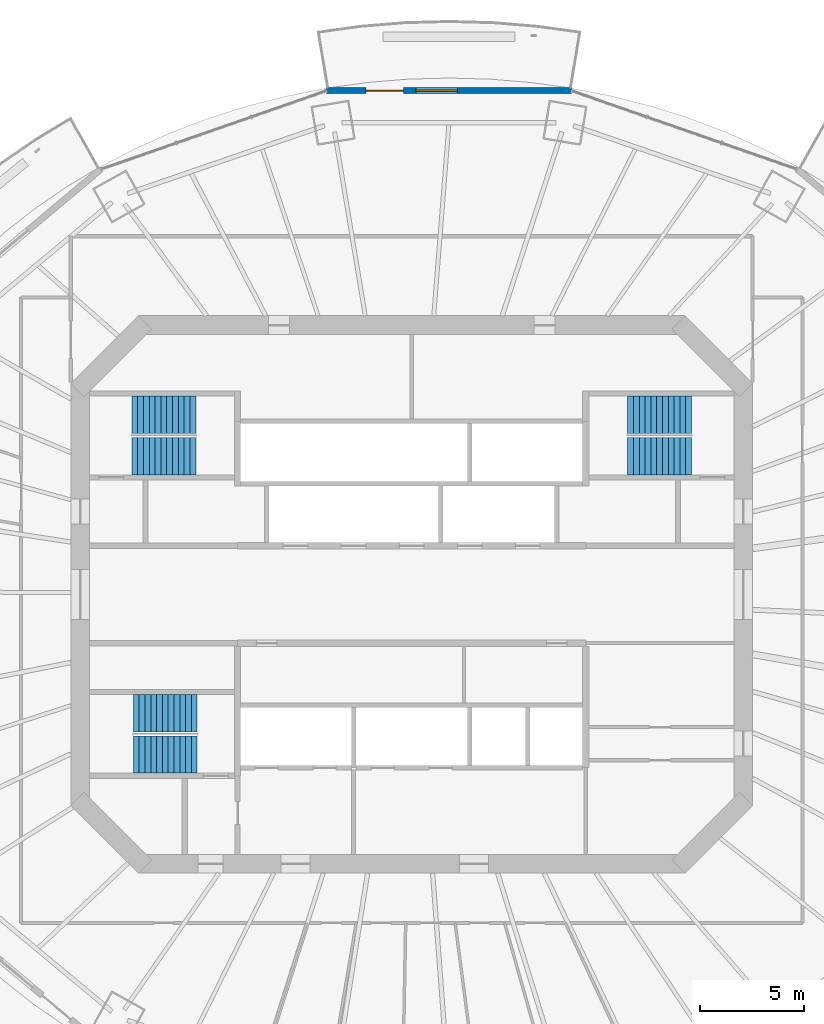
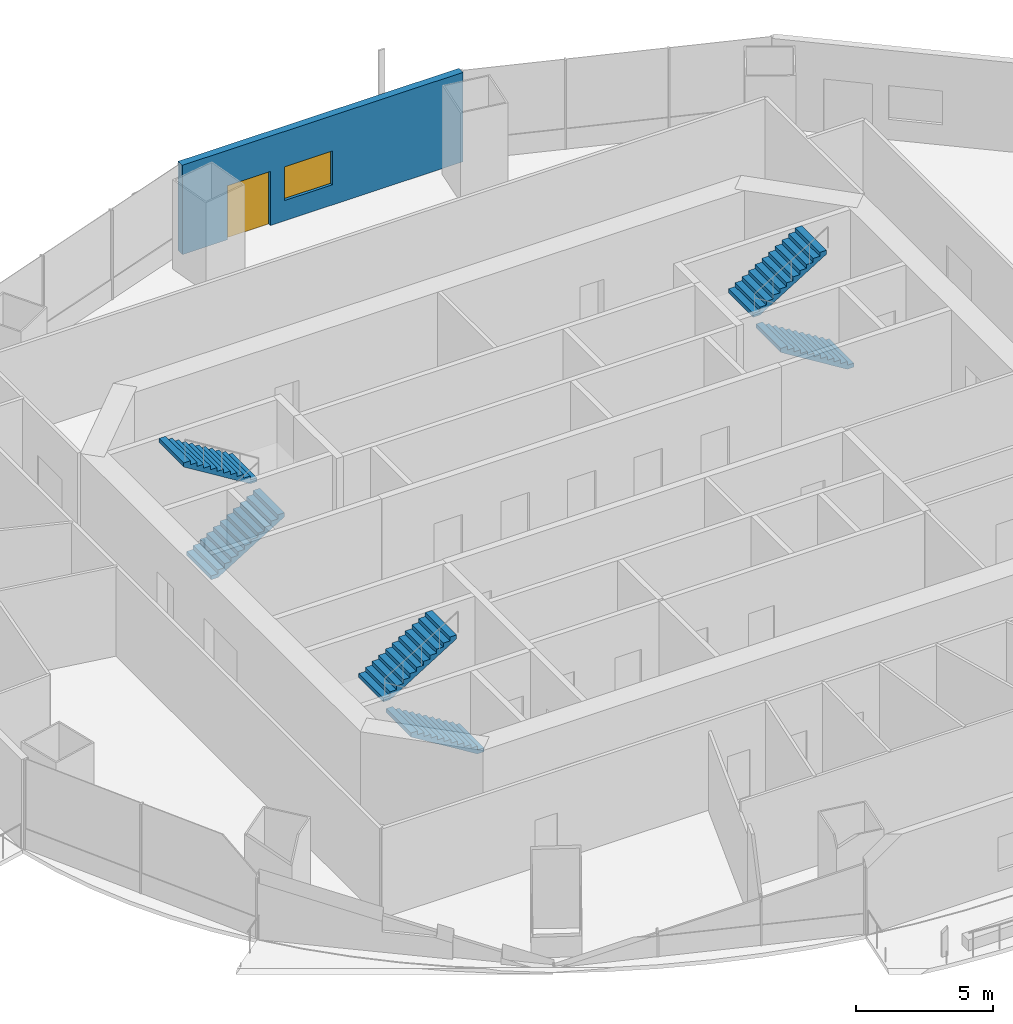
# One storey, part 13 of 19: 6 stair flights, 1 door, 1 wall, 1 window, 2 openings, 3 elements without a shape of their own.
"""IFC4 building model written with IfcOpenShell, lengths in metres."""

from ifc_helpers import new_model, si_unit, direction, frame, frame_2d, origin, place, context, subcontext, project, spatial, polyline, rectangle, outline, extrude, material, layer, layer_set, type_object, element, fill, aggregate, save


model = new_model("IFC4")

# Units and contexts
model_context = context("Model", 3, precision=1e-05, world=origin(), true_north=direction((0.0, 1.0)))
body_context = subcontext(model_context, "Body", "Model", "MODEL_VIEW")
ifc_project = project(units=[si_unit("LENGTHUNIT", "METRE"), si_unit("AREAUNIT", "SQUARE_METRE"), si_unit("VOLUMEUNIT", "CUBIC_METRE"), si_unit("PLANEANGLEUNIT", "RADIAN"), si_unit("MASSUNIT", "GRAM", prefix="KILO")], contexts=[model_context])

# Site, building, storey
site_placement = place(None, origin())
site = spatial("IfcSite", under=ifc_project, at=site_placement, CompositionType="ELEMENT")
building_placement = place(site_placement, origin())
building = spatial("IfcBuilding", under=site, at=building_placement, Name="Marenthal Gate Tower", CompositionType="ELEMENT")
storey_placement = place(building_placement, frame((0.0, 0.0, 244.050048828125)))
storey = spatial("IfcBuildingStorey", under=building, at=storey_placement, Name="L54", CompositionType="ELEMENT", Elevation=244.050048828125)

# Wall, openings, door, window
ifc_material_1 = material(Name="Terracotta cladding on insulated concrete-block backing", Category="masonry")
ifc_layer = layer(ifc_material_1, 0.300048828125)
ifc_layer_set = layer_set([ifc_layer], Name="Terracotta facade wall 300")
wall_type = type_object("IfcWallType", Name="Terracotta facade wall 300", PredefinedType="SOLIDWALL", material=ifc_layer_set)
wall_placement = place(storey_placement, frame((7.700439453125, 24.31103515625, 0.0), z_axis=(0.0, 0.0, 1.0), x_axis=(-1.0, 0.0, 0.0)))
wall = element("IfcWall", 1, at=wall_placement, inside=storey, type_object=wall_type, Name="Terracotta facade wall L54 bay 4", PredefinedType="SOLIDWALL", context=body_context, shape_type="SweptSolid", body=[
    extrude(rectangle(XDim=11.801025390625, YDim=0.300048828125, at=frame_2d((5.900390625, 0.0))), origin(), (0.0, 0.0, 1.0), 3.969970703125),
])
opening_1_placement = place(wall_placement, frame((8.10107421875, 0.0, 0.0)))
opening_1 = element("IfcOpeningElement", 2, at=opening_1_placement, cuts=wall, Name="Opening BD-L54-04", PredefinedType="OPENING", context=body_context, shape_type="SweptSolid", body=[
    extrude(rectangle(XDim=1.800048828125, YDim=2.39990234375, at=frame_2d((0.89990234375, 1.199951171875))), frame((0.0, 0.16015625, 0.0), z_axis=(0.0, -1.0, 0.0), x_axis=(1.0, 0.0, 0.0)), (0.0, 0.0, 1.0), 0.320068359375),
])
opening_2_placement = place(wall_placement, frame((5.5009765625, 0.0, 0.89990234375)))
opening_2 = element("IfcOpeningElement", 3, at=opening_2_placement, cuts=wall, Name="Opening WN2-L54-04", PredefinedType="OPENING", context=body_context, shape_type="SweptSolid", body=[
    extrude(rectangle(XDim=2.0, YDim=1.5, at=frame_2d((1.0, 0.75))), frame((0.0, 0.16015625, 0.0), z_axis=(0.0, -1.0, 0.0), x_axis=(1.0, 0.0, 0.0)), (0.0, 0.0, 1.0), 0.320068359375),
])
ifc_material_2 = material(Name="Aluminium and glass", Category="aluminium")
door_type = type_object("IfcDoorType", Name="Balcony door 1800x2400", OperationType="DOUBLE_DOOR_SINGLE_SWING", PredefinedType="DOOR", material=ifc_material_2)
door_placement = place(opening_1_placement, origin())
door = element("IfcDoor", 4, at=door_placement, inside=storey, type_object=door_type, Name="Balcony door L54 bay 4", OperationType="SINGLE_SWING_LEFT", OverallHeight=2.39990234375, OverallWidth=1.800048828125, PredefinedType="DOOR", context=body_context, shape_type="SweptSolid", body=[
    extrude(rectangle(XDim=1.800048828125, YDim=2.39990234375, at=frame_2d((0.89990234375, 1.199951171875))), frame((0.0, 0.02490234375, 0.0), z_axis=(0.0, -1.0, 0.0), x_axis=(1.0, 0.0, 0.0)), (0.0, 0.0, 1.0), 0.050048828125),
])
fill(opening_1, door)
ifc_material_3 = material(Name="Aluminium and glass", Category="aluminium")
window_type = type_object("IfcWindowType", Name="Window 2000x1500", PartitioningType="DOUBLE_PANEL_VERTICAL", PredefinedType="WINDOW", material=ifc_material_3)
window_placement = place(opening_2_placement, origin())
window = element("IfcWindow", 5, at=window_placement, inside=storey, type_object=window_type, Name="Window L54 bay 4", OverallHeight=1.5, OverallWidth=2.0, PartitioningType="SINGLE_PANEL", PredefinedType="WINDOW", context=body_context, shape_type="SweptSolid", body=[
    extrude(rectangle(XDim=2.0, YDim=1.5, at=frame_2d((1.0, 0.75))), frame((0.0, 0.030029296875, 0.0), z_axis=(0.0, -1.0, 0.0), x_axis=(1.0, 0.0, 0.0)), (0.0, 0.0, 1.0), 0.06005859375),
])
fill(opening_2, window)

# Stair, stair flights
ifc_material_4 = material(Name="Concrete 40 MPa", Category="concrete")
stair_type = type_object("IfcStairType", Name="Exit stair 1800", PredefinedType="HALF_TURN_STAIR", material=ifc_material_4)
stair_1_placement = place(storey_placement, origin())
stair_1 = element("IfcStair", 6, at=stair_1_placement, inside=storey, type_object=stair_type, Name="Stair ST1", PredefinedType="HALF_TURN_STAIR")
ifc_material_5 = material(Name="Concrete 40 MPa", Category="concrete")
stair_flight_type = type_object("IfcStairFlightType", Name="Stair flight 1800", PredefinedType="STRAIGHT", material=ifc_material_5)
stair_flight_1_placement = place(storey_placement, frame((-13.5, 6.675048828125, 0.0), z_axis=(0.0, 0.0, 1.0), x_axis=(1.0, 0.0, 0.0)))
stair_flight_1 = element("IfcStairFlight", 7, at=stair_flight_1_placement, type_object=stair_flight_type, Name="ST1 flight 1", NumberOfRisers=12, NumberOfTreads=11, PredefinedType="STRAIGHT", RiserHeight=0.172916667, TreadLength=0.28, context=body_context, shape_type="SweptSolid", body=[
    extrude(outline(polyline([(0.0, 0.0), (0.0, 0.1728515625), (0.280029296875, 0.1728515625), (0.280029296875, 0.345947265625), (0.56005859375, 0.345947265625), (0.56005859375, 0.518798828125), (0.840087890625, 0.518798828125), (0.840087890625, 0.691650390625), (1.1201171875, 0.691650390625), (1.1201171875, 0.864501953125), (1.39990234375, 0.864501953125), (1.39990234375, 1.03759765625), (1.679931640625, 1.03759765625), (1.679931640625, 1.21044921875), (1.9599609375, 1.21044921875), (1.9599609375, 1.38330078125), (2.239990234375, 1.38330078125), (2.239990234375, 1.55615234375), (2.52001953125, 1.55615234375), (2.52001953125, 1.729248046875), (2.800048828125, 1.729248046875), (2.800048828125, 1.902099609375), (3.080078125, 1.902099609375), (3.080078125, 2.074951171875), (3.080078125, 1.725830078125), (0.285400390625, 0.0), (0.0, 0.0)])), frame((0.0, 0.89990234375, 0.0), z_axis=(0.0, -1.0, 0.0), x_axis=(1.0, 0.0, 0.0)), (0.0, 0.0, 1.0), 1.800048828125),
])
stair_flight_2_placement = place(storey_placement, frame((-10.419921875, 8.675048828125, 2.074951171875), z_axis=(0.0, 0.0, 1.0), x_axis=(-1.0, 0.0, 0.0)))
stair_flight_2 = element("IfcStairFlight", 8, at=stair_flight_2_placement, type_object=stair_flight_type, Name="ST1 flight 2", NumberOfRisers=12, NumberOfTreads=11, PredefinedType="STRAIGHT", RiserHeight=0.172916667, TreadLength=0.28, context=body_context, shape_type="SweptSolid", body=[
    extrude(outline(polyline([(0.0, 0.0), (0.0, 0.1728515625), (0.280029296875, 0.1728515625), (0.280029296875, 0.345947265625), (0.56005859375, 0.345947265625), (0.56005859375, 0.518798828125), (0.840087890625, 0.518798828125), (0.840087890625, 0.691650390625), (1.1201171875, 0.691650390625), (1.1201171875, 0.864501953125), (1.39990234375, 0.864501953125), (1.39990234375, 1.03759765625), (1.679931640625, 1.03759765625), (1.679931640625, 1.21044921875), (1.9599609375, 1.21044921875), (1.9599609375, 1.38330078125), (2.239990234375, 1.38330078125), (2.239990234375, 1.55615234375), (2.52001953125, 1.55615234375), (2.52001953125, 1.729248046875), (2.800048828125, 1.729248046875), (2.800048828125, 1.902099609375), (3.080078125, 1.902099609375), (3.080078125, 2.074951171875), (3.080078125, 1.725830078125), (0.285400390625, 0.0), (0.0, 0.0)])), frame((0.0, 0.89990234375, 0.0), z_axis=(0.0, -1.0, 0.0), x_axis=(1.0, 0.0, 0.0)), (0.0, 0.0, 1.0), 1.800048828125),
])
aggregate(stair_1, [stair_flight_1, stair_flight_2])

stair_2_placement = place(storey_placement, origin())
stair_2 = element("IfcStair", 9, at=stair_2_placement, inside=storey, type_object=stair_type, Name="Stair ST2", PredefinedType="HALF_TURN_STAIR")
stair_flight_3_placement = place(storey_placement, frame((-10.35009765625, -7.72509765625, 0.0), z_axis=(0.0, 0.0, 1.0), x_axis=(-1.0, 0.0, 0.0)))
stair_flight_3 = element("IfcStairFlight", 10, at=stair_flight_3_placement, type_object=stair_flight_type, Name="ST2 flight 1", NumberOfRisers=12, NumberOfTreads=11, PredefinedType="STRAIGHT", RiserHeight=0.172916667, TreadLength=0.28, context=body_context, shape_type="SweptSolid", body=[
    extrude(outline(polyline([(0.0, 0.0), (0.0, 0.1728515625), (0.280029296875, 0.1728515625), (0.280029296875, 0.345947265625), (0.56005859375, 0.345947265625), (0.56005859375, 0.518798828125), (0.840087890625, 0.518798828125), (0.840087890625, 0.691650390625), (1.1201171875, 0.691650390625), (1.1201171875, 0.864501953125), (1.39990234375, 0.864501953125), (1.39990234375, 1.03759765625), (1.679931640625, 1.03759765625), (1.679931640625, 1.21044921875), (1.9599609375, 1.21044921875), (1.9599609375, 1.38330078125), (2.239990234375, 1.38330078125), (2.239990234375, 1.55615234375), (2.52001953125, 1.55615234375), (2.52001953125, 1.729248046875), (2.800048828125, 1.729248046875), (2.800048828125, 1.902099609375), (3.080078125, 1.902099609375), (3.080078125, 2.074951171875), (3.080078125, 1.725830078125), (0.285400390625, 0.0), (0.0, 0.0)])), frame((0.0, 0.89990234375, 0.0), z_axis=(0.0, -1.0, 0.0), x_axis=(1.0, 0.0, 0.0)), (0.0, 0.0, 1.0), 1.800048828125),
])
stair_flight_4_placement = place(storey_placement, frame((-13.429931640625, -5.72509765625, 2.074951171875), z_axis=(0.0, 0.0, 1.0), x_axis=(1.0, 0.0, 0.0)))
stair_flight_4 = element("IfcStairFlight", 11, at=stair_flight_4_placement, type_object=stair_flight_type, Name="ST2 flight 2", NumberOfRisers=12, NumberOfTreads=11, PredefinedType="STRAIGHT", RiserHeight=0.172916667, TreadLength=0.28, context=body_context, shape_type="SweptSolid", body=[
    extrude(outline(polyline([(0.0, 0.0), (0.0, 0.1728515625), (0.280029296875, 0.1728515625), (0.280029296875, 0.345947265625), (0.56005859375, 0.345947265625), (0.56005859375, 0.518798828125), (0.840087890625, 0.518798828125), (0.840087890625, 0.691650390625), (1.1201171875, 0.691650390625), (1.1201171875, 0.864501953125), (1.39990234375, 0.864501953125), (1.39990234375, 1.03759765625), (1.679931640625, 1.03759765625), (1.679931640625, 1.21044921875), (1.9599609375, 1.21044921875), (1.9599609375, 1.38330078125), (2.239990234375, 1.38330078125), (2.239990234375, 1.55615234375), (2.52001953125, 1.55615234375), (2.52001953125, 1.729248046875), (2.800048828125, 1.729248046875), (2.800048828125, 1.902099609375), (3.080078125, 1.902099609375), (3.080078125, 2.074951171875), (3.080078125, 1.725830078125), (0.285400390625, 0.0), (0.0, 0.0)])), frame((0.0, 0.89990234375, 0.0), z_axis=(0.0, -1.0, 0.0), x_axis=(1.0, 0.0, 0.0)), (0.0, 0.0, 1.0), 1.800048828125),
])
aggregate(stair_2, [stair_flight_3, stair_flight_4])

stair_3_placement = place(storey_placement, origin())
stair_3 = element("IfcStair", 12, at=stair_3_placement, inside=storey, type_object=stair_type, Name="Stair ST3", PredefinedType="HALF_TURN_STAIR")
stair_flight_5_placement = place(storey_placement, frame((13.5, 6.675048828125, 0.0), z_axis=(0.0, 0.0, 1.0), x_axis=(-1.0, 0.0, 0.0)))
stair_flight_5 = element("IfcStairFlight", 13, at=stair_flight_5_placement, type_object=stair_flight_type, Name="ST3 flight 1", NumberOfRisers=12, NumberOfTreads=11, PredefinedType="STRAIGHT", RiserHeight=0.172916667, TreadLength=0.28, context=body_context, shape_type="SweptSolid", body=[
    extrude(outline(polyline([(0.0, 0.0), (0.0, 0.1728515625), (0.280029296875, 0.1728515625), (0.280029296875, 0.345947265625), (0.56005859375, 0.345947265625), (0.56005859375, 0.518798828125), (0.840087890625, 0.518798828125), (0.840087890625, 0.691650390625), (1.1201171875, 0.691650390625), (1.1201171875, 0.864501953125), (1.39990234375, 0.864501953125), (1.39990234375, 1.03759765625), (1.679931640625, 1.03759765625), (1.679931640625, 1.21044921875), (1.9599609375, 1.21044921875), (1.9599609375, 1.38330078125), (2.239990234375, 1.38330078125), (2.239990234375, 1.55615234375), (2.52001953125, 1.55615234375), (2.52001953125, 1.729248046875), (2.800048828125, 1.729248046875), (2.800048828125, 1.902099609375), (3.080078125, 1.902099609375), (3.080078125, 2.074951171875), (3.080078125, 1.725830078125), (0.285400390625, 0.0), (0.0, 0.0)])), frame((0.0, 0.89990234375, 0.0), z_axis=(0.0, -1.0, 0.0), x_axis=(1.0, 0.0, 0.0)), (0.0, 0.0, 1.0), 1.800048828125),
])
stair_flight_6_placement = place(storey_placement, frame((10.419921875, 8.675048828125, 2.074951171875), z_axis=(0.0, 0.0, 1.0), x_axis=(1.0, 0.0, 0.0)))
stair_flight_6 = element("IfcStairFlight", 14, at=stair_flight_6_placement, type_object=stair_flight_type, Name="ST3 flight 2", NumberOfRisers=12, NumberOfTreads=11, PredefinedType="STRAIGHT", RiserHeight=0.172916667, TreadLength=0.28, context=body_context, shape_type="SweptSolid", body=[
    extrude(outline(polyline([(0.0, 0.0), (0.0, 0.1728515625), (0.280029296875, 0.1728515625), (0.280029296875, 0.345947265625), (0.56005859375, 0.345947265625), (0.56005859375, 0.518798828125), (0.840087890625, 0.518798828125), (0.840087890625, 0.691650390625), (1.1201171875, 0.691650390625), (1.1201171875, 0.864501953125), (1.39990234375, 0.864501953125), (1.39990234375, 1.03759765625), (1.679931640625, 1.03759765625), (1.679931640625, 1.21044921875), (1.9599609375, 1.21044921875), (1.9599609375, 1.38330078125), (2.239990234375, 1.38330078125), (2.239990234375, 1.55615234375), (2.52001953125, 1.55615234375), (2.52001953125, 1.729248046875), (2.800048828125, 1.729248046875), (2.800048828125, 1.902099609375), (3.080078125, 1.902099609375), (3.080078125, 2.074951171875), (3.080078125, 1.725830078125), (0.285400390625, 0.0), (0.0, 0.0)])), frame((0.0, 0.89990234375, 0.0), z_axis=(0.0, -1.0, 0.0), x_axis=(1.0, 0.0, 0.0)), (0.0, 0.0, 1.0), 1.800048828125),
])
aggregate(stair_3, [stair_flight_5, stair_flight_6])

save(model, "model.ifc")
